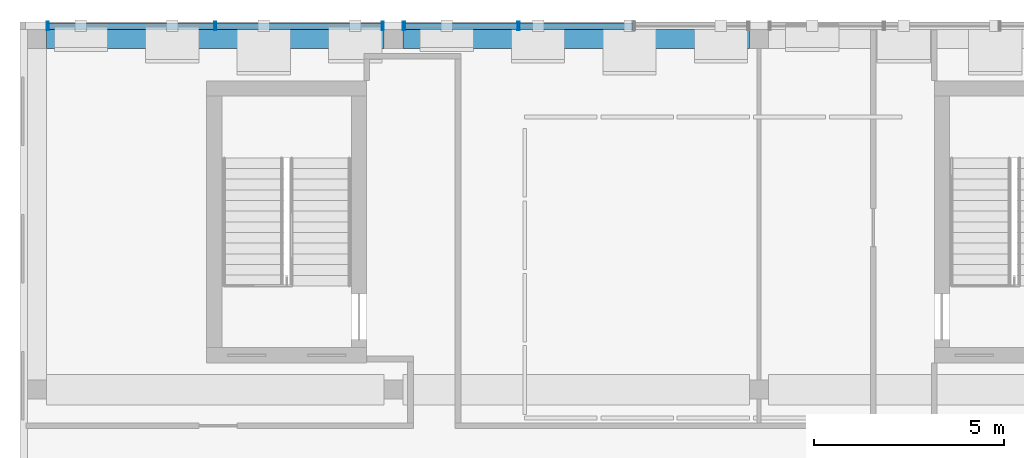
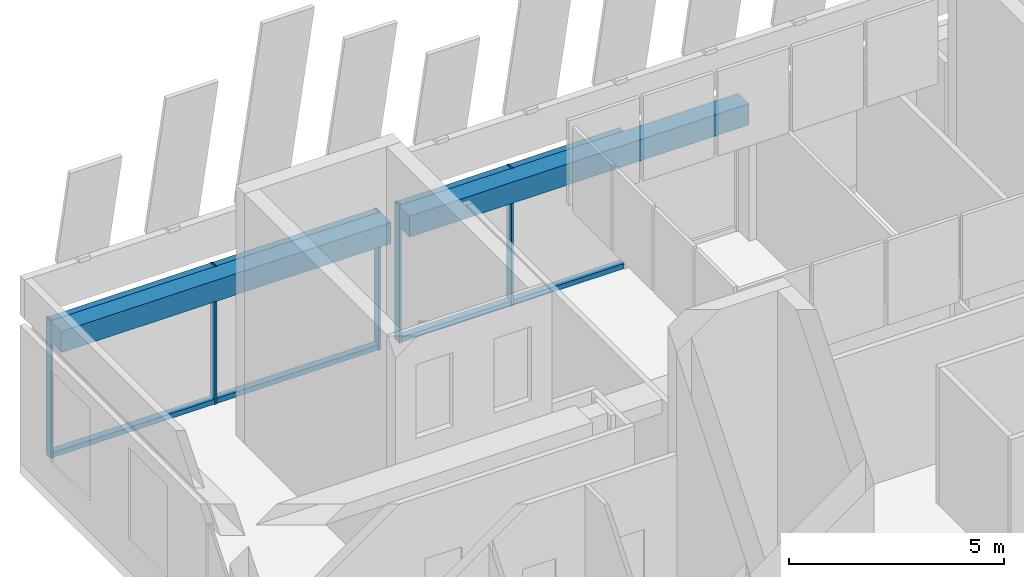
# One storey, part 12 of 26: 13 members, 2 beams, 2 elements without a shape of their own.
"""IFC4 building model written with IfcOpenShell, lengths in metres."""

from ifc_helpers import new_model, si_unit, direction, frame, origin, origin_2d, place, context, subcontext, project, spatial, rectangle, hollow_rectangle, extrude, material, layer, layer_set, material_profile, profile_set, type_object, element, aggregate, save


model = new_model("IFC4")

# Units and contexts
model_context = context("Model", 3, precision=1e-05, world=origin(), true_north=direction((0.0, 1.0)))
body_context = subcontext(model_context, "Body", "Model", "MODEL_VIEW")
ifc_project = project(units=[si_unit("LENGTHUNIT", "METRE"), si_unit("AREAUNIT", "SQUARE_METRE"), si_unit("VOLUMEUNIT", "CUBIC_METRE"), si_unit("PLANEANGLEUNIT", "RADIAN"), si_unit("MASSUNIT", "GRAM", prefix="KILO")], contexts=[model_context])

# Site, building, storey
site_placement = place(None, origin())
site = spatial("IfcSite", under=ifc_project, at=site_placement, CompositionType="ELEMENT")
building_placement = place(site_placement, origin())
building = spatial("IfcBuilding", under=site, at=building_placement, Name="Nzadi Deep Aquarium and Research Tower", CompositionType="ELEMENT")
storey_placement = place(building_placement, frame((0.0, 0.0, 78.10009765625)))
storey = spatial("IfcBuildingStorey", under=building, at=storey_placement, Name="L16", CompositionType="ELEMENT", Elevation=78.10009765625)

# Curtain wall, members
ifc_material_1 = material(Name="Aluminium unitised frame deep", Category="aluminium")
ifc_layer = layer(ifc_material_1, 0.22509765625)
ifc_layer_set = layer_set([ifc_layer], Name="Aluminium unitised frame deep")
curtain_wall_type = type_object("IfcCurtainWallType", Name="Curtain wall Unitised Deep 225", PredefinedType="NOTDEFINED", material=ifc_layer_set)
curtain_wall_1_placement = place(storey_placement, origin())
curtain_wall_1 = element("IfcCurtainWall", 1, at=curtain_wall_1_placement, inside=storey, type_object=curtain_wall_type, Name="Unitised curtain wall blade B north L16", PredefinedType="NOTDEFINED")
ifc_material_2 = material(Name="Aluminium unitised frame deep", Category="aluminium")
ifc_material_profile_1 = material_profile(ifc_material_2, hollow_rectangle(XDim=0.22509765625, YDim=0.06005859375, WallThickness=0.0048828125, at=origin_2d()))
ifc_profile_set_1 = profile_set([ifc_material_profile_1], Name="Aluminium unitised frame deep")
member_type_1 = type_object("IfcMemberType", Name="Mullion 60x225 Unitised Deep", PredefinedType="MULLION", material=ifc_profile_set_1)
member_1_placement = place(storey_placement, frame((0.530029296875, 46.33740234375, 0.0), z_axis=(0.0, 0.0, 1.0), x_axis=(0.0, 1.0, 0.0)))
member_1 = element("IfcMember", 2, at=member_1_placement, type_object=member_type_1, Name="CW196 mullion 1", PredefinedType="MULLION", context=body_context, shape_type="SweptSolid", body=[
    extrude(hollow_rectangle(XDim=0.22509765625, YDim=0.06005859375, WallThickness=0.0048828125, at=origin_2d()), origin(), (0.0, 0.0, 1.0), 3.89990234375),
])
member_2_placement = place(storey_placement, frame((4.925048828125, 46.33740234375, 0.0), z_axis=(0.0, 0.0, 1.0), x_axis=(0.0, 1.0, 0.0)))
member_2 = element("IfcMember", 3, at=member_2_placement, type_object=member_type_1, Name="CW196 mullion 2", PredefinedType="MULLION", context=body_context, shape_type="SweptSolid", body=[
    extrude(hollow_rectangle(XDim=0.22509765625, YDim=0.06005859375, WallThickness=0.0048828125, at=origin_2d()), origin(), (0.0, 0.0, 1.0), 3.89990234375),
])
member_3_placement = place(storey_placement, frame((9.320068359375, 46.33740234375, 0.0), z_axis=(0.0, 0.0, 1.0), x_axis=(0.0, 1.0, 0.0)))
member_3 = element("IfcMember", 4, at=member_3_placement, type_object=member_type_1, Name="CW196 mullion 3", PredefinedType="MULLION", context=body_context, shape_type="SweptSolid", body=[
    extrude(hollow_rectangle(XDim=0.22509765625, YDim=0.06005859375, WallThickness=0.0048828125, at=origin_2d()), origin(), (0.0, 0.0, 1.0), 3.89990234375),
])

curtain_wall_2_placement = place(storey_placement, origin())
curtain_wall_2 = element("IfcCurtainWall", 5, at=curtain_wall_2_placement, inside=storey, type_object=curtain_wall_type, Name="Unitised curtain wall blade B north L16", PredefinedType="NOTDEFINED")
member_4_placement = place(storey_placement, frame((9.8798828125, 46.33740234375, 0.0), z_axis=(0.0, 0.0, 1.0), x_axis=(0.0, 1.0, 0.0)))
member_4 = element("IfcMember", 6, at=member_4_placement, type_object=member_type_1, Name="CW197 mullion 1", PredefinedType="MULLION", context=body_context, shape_type="SweptSolid", body=[
    extrude(hollow_rectangle(XDim=0.22509765625, YDim=0.06005859375, WallThickness=0.0048828125, at=origin_2d()), origin(), (0.0, 0.0, 1.0), 3.89990234375),
])
member_5_placement = place(storey_placement, frame((12.88330078125, 46.33740234375, 0.0), z_axis=(0.0, 0.0, 1.0), x_axis=(0.0, 1.0, 0.0)))
member_5 = element("IfcMember", 7, at=member_5_placement, type_object=member_type_1, Name="CW197 mullion 2", PredefinedType="MULLION", context=body_context, shape_type="SweptSolid", body=[
    extrude(hollow_rectangle(XDim=0.22509765625, YDim=0.06005859375, WallThickness=0.0048828125, at=origin_2d()), origin(), (0.0, 0.0, 1.0), 3.89990234375),
])

# Beams
ifc_material_3 = material(Name="Concrete C35/45", Category="concrete")
ifc_material_profile_2 = material_profile(ifc_material_3, rectangle(XDim=0.5, YDim=0.60009765625, at=origin_2d()))
ifc_profile_set_2 = profile_set([ifc_material_profile_2], Name="Concrete C35/45")
beam_type = type_object("IfcBeamType", Name="RC 500x600", PredefinedType="BEAM", material=ifc_profile_set_2)
beam_1_placement = place(storey_placement, frame((0.5, 46.0, 3.599853515625), z_axis=(1.0, 0.0, 0.0), x_axis=(0.0, 1.0, 0.0)))
element("IfcBeam", 8, at=beam_1_placement, inside=storey, type_object=beam_type, Name="B-Z1-L16-L6-1", PredefinedType="BEAM", context=body_context, shape_type="SweptSolid", body=[
    extrude(rectangle(XDim=0.5, YDim=0.60009765625, at=origin_2d()), origin(), (0.0, 0.0, 1.0), 8.85009765625),
])
beam_2_placement = place(storey_placement, frame((9.85009765625, 46.0, 3.599853515625), z_axis=(1.0, 0.0, 0.0), x_axis=(0.0, 1.0, 0.0)))
element("IfcBeam", 9, at=beam_2_placement, inside=storey, type_object=beam_type, Name="B-Z1-L16-L6-2", PredefinedType="BEAM", context=body_context, shape_type="SweptSolid", body=[
    extrude(rectangle(XDim=0.5, YDim=0.60009765625, at=origin_2d()), origin(), (0.0, 0.0, 1.0), 9.099853515625),
])

# Member
ifc_material_4 = material(Name="Aluminium unitised frame deep", Category="aluminium")
ifc_material_profile_3 = material_profile(ifc_material_4, hollow_rectangle(XDim=0.179931640625, YDim=0.139892578125, WallThickness=0.0048828125, at=origin_2d()))
ifc_profile_set_3 = profile_set([ifc_material_profile_3], Name="Aluminium unitised frame deep")
member_type_2 = type_object("IfcMemberType", Name="Transom 140x180 Unitised Deep", PredefinedType="MULLION", material=ifc_profile_set_3)
member_6_placement = place(storey_placement, frame((0.56005859375, 46.33740234375, 0.06982421875), z_axis=(1.0, 0.0, 0.0), x_axis=(0.0, 1.0, 0.0)))
member_6 = element("IfcMember", 10, at=member_6_placement, type_object=member_type_2, Name="CW196 transom 1.1", PredefinedType="MULLION", context=body_context, shape_type="SweptSolid", body=[
    extrude(hollow_rectangle(XDim=0.179931640625, YDim=0.139892578125, WallThickness=0.0048828125, at=origin_2d()), origin(), (0.0, 0.0, 1.0), 4.3349609375),
])

member_7_placement = place(storey_placement, frame((0.56005859375, 46.33740234375, 3.829833984375), z_axis=(1.0, 0.0, 0.0), x_axis=(0.0, 1.0, 0.0)))
member_7 = element("IfcMember", 11, at=member_7_placement, type_object=member_type_2, Name="CW196 transom 1.2", PredefinedType="MULLION", context=body_context, shape_type="SweptSolid", body=[
    extrude(hollow_rectangle(XDim=0.179931640625, YDim=0.139892578125, WallThickness=0.0048828125, at=origin_2d()), origin(), (0.0, 0.0, 1.0), 4.3349609375),
])

member_8_placement = place(storey_placement, frame((4.955078125, 46.33740234375, 0.06982421875), z_axis=(1.0, 0.0, 0.0), x_axis=(0.0, 1.0, 0.0)))
member_8 = element("IfcMember", 12, at=member_8_placement, type_object=member_type_2, Name="CW196 transom 2.1", PredefinedType="MULLION", context=body_context, shape_type="SweptSolid", body=[
    extrude(hollow_rectangle(XDim=0.179931640625, YDim=0.139892578125, WallThickness=0.0048828125, at=origin_2d()), origin(), (0.0, 0.0, 1.0), 4.3349609375),
])

member_9_placement = place(storey_placement, frame((4.955078125, 46.33740234375, 3.829833984375), z_axis=(1.0, 0.0, 0.0), x_axis=(0.0, 1.0, 0.0)))
member_9 = element("IfcMember", 13, at=member_9_placement, type_object=member_type_2, Name="CW196 transom 2.2", PredefinedType="MULLION", context=body_context, shape_type="SweptSolid", body=[
    extrude(hollow_rectangle(XDim=0.179931640625, YDim=0.139892578125, WallThickness=0.0048828125, at=origin_2d()), origin(), (0.0, 0.0, 1.0), 4.3349609375),
])

aggregate(curtain_wall_1, [member_1, member_2, member_3, member_6, member_7, member_8, member_9])

member_10_placement = place(storey_placement, frame((9.909912109375, 46.33740234375, 0.06982421875), z_axis=(1.0, 0.0, 0.0), x_axis=(0.0, 1.0, 0.0)))
member_10 = element("IfcMember", 14, at=member_10_placement, type_object=member_type_2, Name="CW197 transom 1.1", PredefinedType="MULLION", context=body_context, shape_type="SweptSolid", body=[
    extrude(hollow_rectangle(XDim=0.179931640625, YDim=0.139892578125, WallThickness=0.0048828125, at=origin_2d()), origin(), (0.0, 0.0, 1.0), 2.943359375),
])

member_11_placement = place(storey_placement, frame((9.909912109375, 46.33740234375, 3.829833984375), z_axis=(1.0, 0.0, 0.0), x_axis=(0.0, 1.0, 0.0)))
member_11 = element("IfcMember", 15, at=member_11_placement, type_object=member_type_2, Name="CW197 transom 1.2", PredefinedType="MULLION", context=body_context, shape_type="SweptSolid", body=[
    extrude(hollow_rectangle(XDim=0.179931640625, YDim=0.139892578125, WallThickness=0.0048828125, at=origin_2d()), origin(), (0.0, 0.0, 1.0), 2.943359375),
])

member_12_placement = place(storey_placement, frame((12.913330078125, 46.33740234375, 0.06982421875), z_axis=(1.0, 0.0, 0.0), x_axis=(0.0, 1.0, 0.0)))
member_12 = element("IfcMember", 16, at=member_12_placement, type_object=member_type_2, Name="CW197 transom 2.1", PredefinedType="MULLION", context=body_context, shape_type="SweptSolid", body=[
    extrude(hollow_rectangle(XDim=0.179931640625, YDim=0.139892578125, WallThickness=0.0048828125, at=origin_2d()), origin(), (0.0, 0.0, 1.0), 2.973388671875),
])

member_13_placement = place(storey_placement, frame((12.913330078125, 46.33740234375, 3.829833984375), z_axis=(1.0, 0.0, 0.0), x_axis=(0.0, 1.0, 0.0)))
member_13 = element("IfcMember", 17, at=member_13_placement, type_object=member_type_2, Name="CW197 transom 2.2", PredefinedType="MULLION", context=body_context, shape_type="SweptSolid", body=[
    extrude(hollow_rectangle(XDim=0.179931640625, YDim=0.139892578125, WallThickness=0.0048828125, at=origin_2d()), origin(), (0.0, 0.0, 1.0), 2.973388671875),
])

aggregate(curtain_wall_2, [member_4, member_5, member_10, member_11, member_12, member_13])

save(model, "model.ifc")
